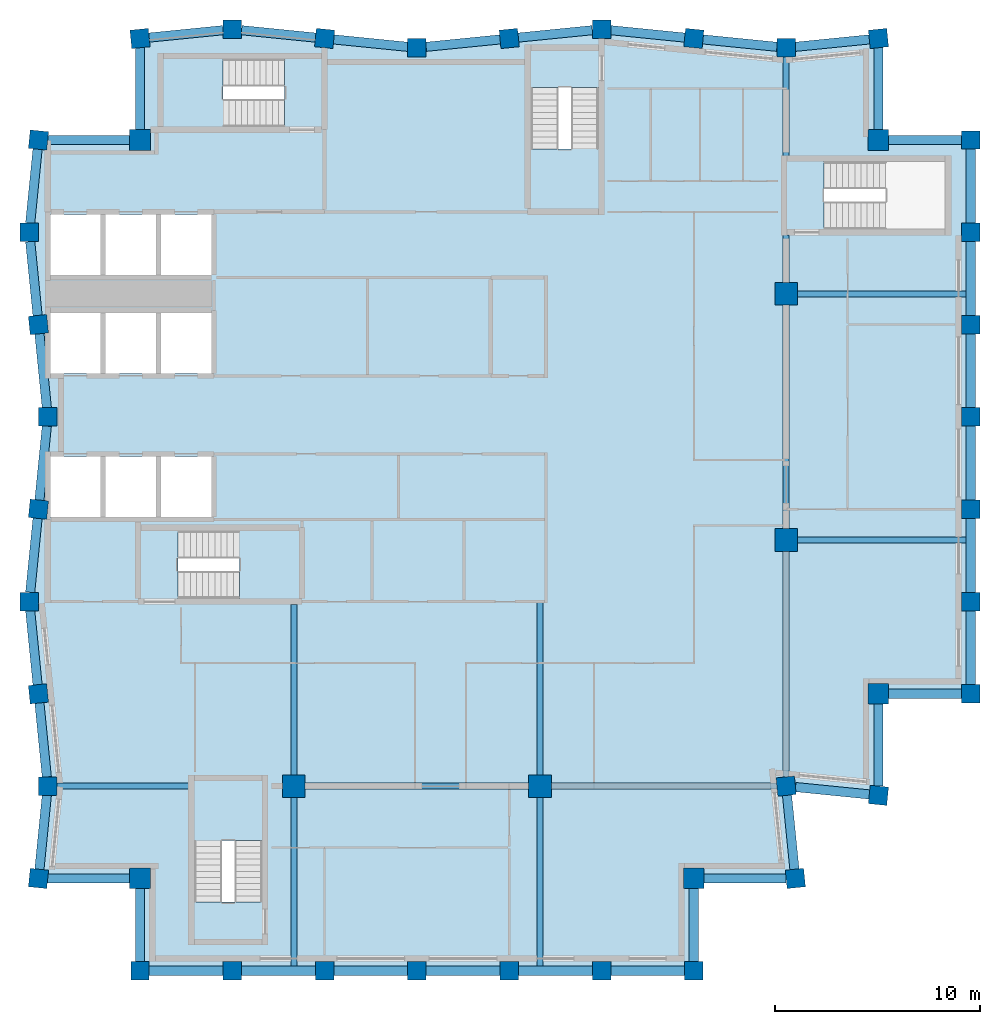
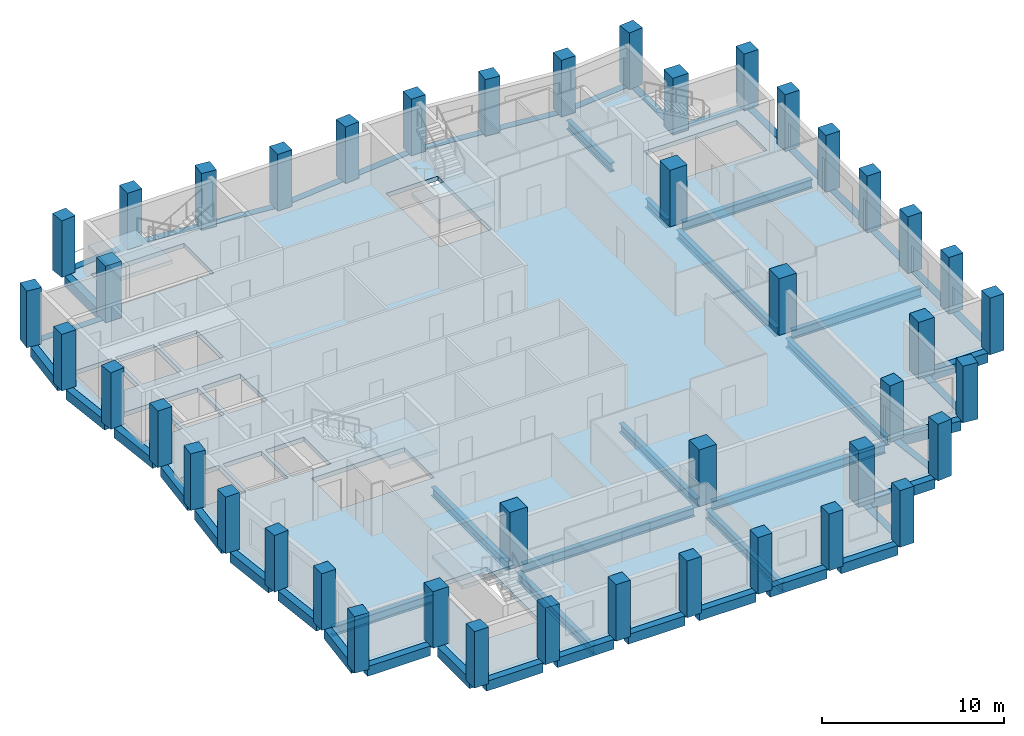
# One storey, part 1 of 7: 53 beams, 44 columns, 5 slabs, 4 elements without a shape of their own.
"""IFC4 building model written with IfcOpenShell, lengths in metres."""

from ifc_helpers import new_model, si_unit, direction, frame, origin, origin_2d, place, context, subcontext, project, spatial, polyline, rectangle, i_section, outline, extrude, material, layer, layer_set, material_profile, profile_set, type_object, element, aggregate, save


model = new_model("IFC4")

# Units and contexts
model_context = context("Model", 3, precision=1e-05, world=origin(), true_north=direction((0.0, 1.0)))
body_context = subcontext(model_context, "Body", "Model", "MODEL_VIEW")
ifc_project = project(units=[si_unit("LENGTHUNIT", "METRE"), si_unit("AREAUNIT", "SQUARE_METRE"), si_unit("VOLUMEUNIT", "CUBIC_METRE"), si_unit("PLANEANGLEUNIT", "RADIAN"), si_unit("MASSUNIT", "GRAM", prefix="KILO")], contexts=[model_context])

# Site, building, storey
site_placement = place(None, origin())
site = spatial("IfcSite", under=ifc_project, at=site_placement, CompositionType="ELEMENT")
building_placement = place(site_placement, origin())
building = spatial("IfcBuilding", under=site, at=building_placement, Name="Brondeck Convention Tower", CompositionType="ELEMENT")
storey_placement = place(building_placement, frame((0.0, 0.0, 260.0)))
storey = spatial("IfcBuildingStorey", under=building, at=storey_placement, Name="L64", CompositionType="ELEMENT", Elevation=260.0)

# Columns
ifc_material_1 = material(Name="Concrete C50/60", Category="concrete")
ifc_material_profile_1 = material_profile(ifc_material_1, rectangle(XDim=1.0, YDim=1.0, at=origin_2d()), Name="Corner column 1000x1000 Concrete C50/60")
ifc_profile_set_1 = profile_set([ifc_material_profile_1], Name="Concrete C50/60")
column_type_1 = type_object("IfcColumnType", Name="Corner column 1000x1000 Concrete C50/60", PredefinedType="COLUMN", material=ifc_profile_set_1)
for number, where, z_axis, x_axis, name in (
    (1, (4.5, 22.5, 0.0), (0.0, 0.0, 1.0), (1.0, 0.0, 0.0), "STR-COL-L64-NC-SWB18"),
    (2, (31.5, 22.5, 0.0), (0.0, 0.0, 1.0), (1.0, 0.0, 0.0), "STR-COL-L64-NC-SEB18"),
    (3, (40.5, 31.5, 0.0), (0.0, 0.0, 1.0), (1.0, 0.0, 0.0), "STR-COL-L64-NC-SEA45"),
    (4, (40.5, 58.5, 0.0), (0.0, 0.0, 1.0), (1.0, 0.0, 0.0), "STR-COL-L64-NC-NEA45"),
    (5, (4.5, 58.5, 0.0), (0.0, 0.0, 1.0), (1.0, 0.0, 0.0), "STR-COL-L64-NC-NW"),
):
    element("IfcColumn", number, at=place(storey_placement, frame(where, z_axis=z_axis, x_axis=x_axis)), inside=storey, type_object=column_type_1, Name=name, PredefinedType="COLUMN", context=body_context, shape_type="SweptSolid", body=[
        extrude(rectangle(XDim=1.0, YDim=1.0, at=origin_2d()), origin(), (0.0, 0.0, 1.0), 3.800048828125),
    ])
ifc_material_profile_2 = material_profile(ifc_material_1, rectangle(XDim=1.10009765625, YDim=1.10009765625, at=origin_2d()), Name="Interior column 1100x1100 Concrete C50/60")
ifc_profile_set_2 = profile_set([ifc_material_profile_2], Name="Concrete C50/60")
column_type_2 = type_object("IfcColumnType", Name="Interior column 1100x1100 Concrete C50/60", PredefinedType="COLUMN", material=ifc_profile_set_2)
for number, where, z_axis, x_axis, name in (
    (6, (12.0, 27.0, 0.0), (0.0, 0.0, 1.0), (1.0, 0.0, 0.0), "STR-COL-L64-IC-03"),
    (7, (24.0, 27.0, 0.0), (0.0, 0.0, 1.0), (1.0, 0.0, 0.0), "STR-COL-L64-IC-06"),
    (8, (36.0, 39.0, 0.0), (0.0, 0.0, 1.0), (1.0, 0.0, 0.0), "STR-COL-L64-IC-07"),
    (9, (36.0, 51.0, 0.0), (0.0, 0.0, 1.0), (1.0, 0.0, 0.0), "STR-COL-L64-IC-08"),
):
    element("IfcColumn", number, at=place(storey_placement, frame(where, z_axis=z_axis, x_axis=x_axis)), inside=storey, type_object=column_type_2, Name=name, PredefinedType="COLUMN", context=body_context, shape_type="SweptSolid", body=[
        extrude(rectangle(XDim=1.10009765625, YDim=1.10009765625, at=origin_2d()), origin(), (0.0, 0.0, 1.0), 3.800048828125),
    ])
ifc_material_profile_3 = material_profile(ifc_material_1, rectangle(XDim=0.89990234375, YDim=0.89990234375, at=origin_2d()), Name="Perimeter pier 900x900 Concrete C50/60")
ifc_profile_set_3 = profile_set([ifc_material_profile_3], Name="Concrete C50/60")
column_type_3 = type_object("IfcColumnType", Name="Perimeter pier 900x900 Concrete C50/60", PredefinedType="COLUMN", material=ifc_profile_set_3)
for number, where, z_axis, x_axis, name in (
    (10, (4.5, 18.0, 0.0), (0.0, 0.0, 1.0), (1.0, 0.0, 0.0), "STR-COL-L64-PC-B-S18-01"),
    (11, (9.0, 18.0, 0.0), (0.0, 0.0, 1.0), (1.0, 0.0, 0.0), "STR-COL-L64-PC-B-S18-02"),
    (12, (13.5, 18.0, 0.0), (0.0, 0.0, 1.0), (1.0, 0.0, 0.0), "STR-COL-L64-PC-B-S18-03"),
    (13, (18.0, 18.0, 0.0), (0.0, 0.0, 1.0), (1.0, 0.0, 0.0), "STR-COL-L64-PC-B-S18-04"),
    (14, (22.5, 18.0, 0.0), (0.0, 0.0, 1.0), (1.0, 0.0, 0.0), "STR-COL-L64-PC-B-S18-05"),
    (15, (27.0, 18.0, 0.0), (0.0, 0.0, 1.0), (1.0, 0.0, 0.0), "STR-COL-L64-PC-B-S18-06"),
    (16, (31.5, 18.0, 0.0), (0.0, 0.0, 1.0), (1.0, 0.0, 0.0), "STR-COL-L64-PC-B-S18-07"),
    (17, (36.449951171875, 22.5, 0.0), (0.0, 0.0, 1.0), (-0.0995038382, 0.995037178292, 0.0), "STR-COL-L64-PC-B-E-01"),
    (18, (36.0, 27.0, 0.0), (0.0, 0.0, 1.0), (-0.0995038382, 0.995037178292, 0.0), "STR-COL-L64-PC-B-E-00"),
    (19, (40.5, 26.550048828125, 0.0), (0.0, 0.0, 1.0), (0.995037178292, -0.0995038382, 0.0), "STR-COL-L64-PC-A-S-01"),
    (20, (45.0, 31.5, 0.0), (0.0, 0.0, 1.0), (0.0, 1.0, 0.0), "STR-COL-L64-PC-A-E45-01"),
    (21, (45.0, 36.0, 0.0), (0.0, 0.0, 1.0), (0.0, 1.0, 0.0), "STR-COL-L64-PC-A-E45-02"),
    (22, (45.0, 40.5, 0.0), (0.0, 0.0, 1.0), (0.0, 1.0, 0.0), "STR-COL-L64-PC-A-E45-03"),
    (23, (45.0, 45.0, 0.0), (0.0, 0.0, 1.0), (0.0, 1.0, 0.0), "STR-COL-L64-PC-A-E45-04"),
    (24, (45.0, 49.5, 0.0), (0.0, 0.0, 1.0), (0.0, 1.0, 0.0), "STR-COL-L64-PC-A-E45-05"),
    (25, (45.0, 54.0, 0.0), (0.0, 0.0, 1.0), (0.0, 1.0, 0.0), "STR-COL-L64-PC-A-E45-06"),
    (26, (45.0, 58.5, 0.0), (0.0, 0.0, 1.0), (0.0, 1.0, 0.0), "STR-COL-L64-PC-A-E45-07"),
    (27, (40.5, 63.449951171875, 0.0), (0.0, 0.0, 1.0), (-0.995037178292, -0.0995038382, 0.0), "STR-COL-L64-PC-A-N-09"),
    (28, (36.0, 63.0, 0.0), (0.0, 0.0, 1.0), (-1.0, 0.0, 0.0), "STR-COL-L64-PC-A-N-08"),
    (29, (31.5, 63.449951171875, 0.0), (0.0, 0.0, 1.0), (-0.995037178292, 0.0995038382, 0.0), "STR-COL-L64-PC-A-N-07"),
    (30, (27.0, 63.89990234375, 0.0), (0.0, 0.0, 1.0), (-1.0, 0.0, 0.0), "STR-COL-L64-PC-A-N-06"),
    (31, (22.5, 63.449951171875, 0.0), (0.0, 0.0, 1.0), (-0.995037178292, -0.0995038382, 0.0), "STR-COL-L64-PC-A-N-05"),
    (32, (18.0, 63.0, 0.0), (0.0, 0.0, 1.0), (-1.0, 0.0, 0.0), "STR-COL-L64-PC-A-N-04"),
    (33, (13.5, 63.449951171875, 0.0), (0.0, 0.0, 1.0), (-0.995037178292, 0.0995038382, 0.0), "STR-COL-L64-PC-A-N-03"),
    (34, (9.0, 63.89990234375, 0.0), (0.0, 0.0, 1.0), (-1.0, 0.0, 0.0), "STR-COL-L64-PC-A-N-02"),
    (35, (4.5, 63.449951171875, 0.0), (0.0, 0.0, 1.0), (-0.995037178292, -0.0995038382, 0.0), "STR-COL-L64-PC-A-N-01"),
    (36, (-0.449951171875, 58.5, 0.0), (0.0, 0.0, 1.0), (-0.0995038382, -0.995037178292, 0.0), "STR-COL-L64-PC-B-W-01"),
    (37, (-0.89990234375, 54.0, 0.0), (0.0, 0.0, 1.0), (0.0, -1.0, 0.0), "STR-COL-L64-PC-B-W-02"),
    (38, (-0.449951171875, 49.5, 0.0), (0.0, 0.0, 1.0), (0.0995038382, -0.995037178292, 0.0), "STR-COL-L64-PC-B-W-03"),
    (39, (0.0, 45.0, 0.0), (0.0, 0.0, 1.0), (0.0, -1.0, 0.0), "STR-COL-L64-PC-B-W-04"),
    (40, (-0.449951171875, 40.5, 0.0), (0.0, 0.0, 1.0), (-0.0995038382, -0.995037178292, 0.0), "STR-COL-L64-PC-B-W-05"),
    (41, (-0.89990234375, 36.0, 0.0), (0.0, 0.0, 1.0), (0.0, -1.0, 0.0), "STR-COL-L64-PC-B-W-06"),
    (42, (-0.449951171875, 31.5, 0.0), (0.0, 0.0, 1.0), (0.0995038382, -0.995037178292, 0.0), "STR-COL-L64-PC-B-W-07"),
    (43, (0.0, 27.0, 0.0), (0.0, 0.0, 1.0), (0.0, -1.0, 0.0), "STR-COL-L64-PC-B-W-08"),
    (44, (-0.449951171875, 22.5, 0.0), (0.0, 0.0, 1.0), (-0.0995038382, -0.995037178292, 0.0), "STR-COL-L64-PC-B-W-09"),
):
    element("IfcColumn", number, at=place(storey_placement, frame(where, z_axis=z_axis, x_axis=x_axis)), inside=storey, type_object=column_type_3, Name=name, PredefinedType="COLUMN", context=body_context, shape_type="SweptSolid", body=[
        extrude(rectangle(XDim=0.89990234375, YDim=0.89990234375, at=origin_2d()), origin(), (0.0, 0.0, 1.0), 3.800048828125),
    ])

# Beams
ifc_material_2 = material(Name="Steel S355", Category="steel")
ifc_material_profile_4 = material_profile(ifc_material_2, i_section(OverallWidth=0.300048828125, OverallDepth=0.60009765625, WebThickness=0.015380859375, FlangeThickness=0.030029296875, FilletRadius=0.027099609375, at=origin_2d()), Name="HEB 600")
ifc_profile_set_4 = profile_set([ifc_material_profile_4], Name="Steel S355")
beam_type_1 = type_object("IfcBeamType", Name="Girder HEB 600", PredefinedType="BEAM", material=ifc_profile_set_4)
for number, where, z_axis, x_axis, name in (
    (45, (36.550048828125, 39.0, -0.60009765625), (1.0, 0.0, 0.0), (0.0, 1.0, 0.0), "STR-GR-L64-001"),
    (46, (36.550048828125, 51.0, -0.60009765625), (1.0, 0.0, 0.0), (0.0, 1.0, 0.0), "STR-GR-L64-002"),
):
    element("IfcBeam", number, at=place(storey_placement, frame(where, z_axis=z_axis, x_axis=x_axis)), inside=storey, type_object=beam_type_1, Name=name, PredefinedType="BEAM", context=body_context, shape_type="SweptSolid", body=[
        extrude(i_section(OverallWidth=0.300048828125, OverallDepth=0.60009765625, WebThickness=0.015380859375, FlangeThickness=0.030029296875, FilletRadius=0.027099609375, at=origin_2d()), origin(), (0.0, 0.0, 1.0), 8.224853515625),
    ])
beam_1_placement = place(storey_placement, frame((36.0, 27.4521484375, -0.60009765625), z_axis=(0.0, 1.0, 0.0), x_axis=(-1.0, 0.0, 0.0)))
element("IfcBeam", 47, at=beam_1_placement, inside=storey, type_object=beam_type_1, Name="STR-GR-L64-003", PredefinedType="BEAM", context=body_context, shape_type="SweptSolid", body=[
    extrude(i_section(OverallWidth=0.300048828125, OverallDepth=0.60009765625, WebThickness=0.015380859375, FlangeThickness=0.030029296875, FilletRadius=0.027099609375, at=origin_2d()), origin(), (0.0, 0.0, 1.0), 10.997802734375),
])
beam_2_placement = place(storey_placement, frame((36.0, 39.550048828125, -0.60009765625), z_axis=(0.0, 1.0, 0.0), x_axis=(-1.0, 0.0, 0.0)))
element("IfcBeam", 48, at=beam_2_placement, inside=storey, type_object=beam_type_1, Name="STR-GR-L64-004", PredefinedType="BEAM", context=body_context, shape_type="SweptSolid", body=[
    extrude(i_section(OverallWidth=0.300048828125, OverallDepth=0.60009765625, WebThickness=0.015380859375, FlangeThickness=0.030029296875, FilletRadius=0.027099609375, at=origin_2d()), origin(), (0.0, 0.0, 1.0), 10.89990234375),
])
beam_3_placement = place(storey_placement, frame((36.0, 51.550048828125, -0.60009765625), z_axis=(0.0, 1.0, 0.0), x_axis=(-1.0, 0.0, 0.0)))
element("IfcBeam", 49, at=beam_3_placement, inside=storey, type_object=beam_type_1, Name="STR-GR-L64-005", PredefinedType="BEAM", context=body_context, shape_type="SweptSolid", body=[
    extrude(i_section(OverallWidth=0.300048828125, OverallDepth=0.60009765625, WebThickness=0.015380859375, FlangeThickness=0.030029296875, FilletRadius=0.027099609375, at=origin_2d()), origin(), (0.0, 0.0, 1.0), 2.329833984375),
])
beam_4_placement = place(storey_placement, frame((36.0, 57.719970703125, -0.60009765625), z_axis=(0.0, 1.0, 0.0), x_axis=(-1.0, 0.0, 0.0)))
element("IfcBeam", 50, at=beam_4_placement, inside=storey, type_object=beam_type_1, Name="STR-GR-L64-006", PredefinedType="BEAM", context=body_context, shape_type="SweptSolid", body=[
    extrude(i_section(OverallWidth=0.300048828125, OverallDepth=0.60009765625, WebThickness=0.015380859375, FlangeThickness=0.030029296875, FilletRadius=0.027099609375, at=origin_2d()), origin(), (0.0, 0.0, 1.0), 4.830078125),
])
beam_5_placement = place(storey_placement, frame((12.0, 35.85009765625, -0.60009765625), z_axis=(0.0, -1.0, 0.0), x_axis=(1.0, 0.0, 0.0)))
element("IfcBeam", 51, at=beam_5_placement, inside=storey, type_object=beam_type_1, Name="STR-GR-L64-007", PredefinedType="BEAM", context=body_context, shape_type="SweptSolid", body=[
    extrude(i_section(OverallWidth=0.300048828125, OverallDepth=0.60009765625, WebThickness=0.015380859375, FlangeThickness=0.030029296875, FilletRadius=0.027099609375, at=origin_2d()), origin(), (0.0, 0.0, 1.0), 8.300048828125),
])
beam_6_placement = place(storey_placement, frame((12.0, 26.449951171875, -0.60009765625), z_axis=(0.0, -1.0, 0.0), x_axis=(1.0, 0.0, 0.0)))
element("IfcBeam", 52, at=beam_6_placement, inside=storey, type_object=beam_type_1, Name="STR-GR-L64-008", PredefinedType="BEAM", context=body_context, shape_type="SweptSolid", body=[
    extrude(i_section(OverallWidth=0.300048828125, OverallDepth=0.60009765625, WebThickness=0.015380859375, FlangeThickness=0.030029296875, FilletRadius=0.027099609375, at=origin_2d()), origin(), (0.0, 0.0, 1.0), 8.224853515625),
])
beam_7_placement = place(storey_placement, frame((24.0, 35.955078125, -0.60009765625), z_axis=(0.0, -1.0, 0.0), x_axis=(1.0, 0.0, 0.0)))
element("IfcBeam", 53, at=beam_7_placement, inside=storey, type_object=beam_type_1, Name="STR-GR-L64-009", PredefinedType="BEAM", context=body_context, shape_type="SweptSolid", body=[
    extrude(i_section(OverallWidth=0.300048828125, OverallDepth=0.60009765625, WebThickness=0.015380859375, FlangeThickness=0.030029296875, FilletRadius=0.027099609375, at=origin_2d()), origin(), (0.0, 0.0, 1.0), 8.405029296875),
])
beam_8_placement = place(storey_placement, frame((24.0, 26.449951171875, -0.60009765625), z_axis=(0.0, -1.0, 0.0), x_axis=(1.0, 0.0, 0.0)))
element("IfcBeam", 54, at=beam_8_placement, inside=storey, type_object=beam_type_1, Name="STR-GR-L64-010", PredefinedType="BEAM", context=body_context, shape_type="SweptSolid", body=[
    extrude(i_section(OverallWidth=0.300048828125, OverallDepth=0.60009765625, WebThickness=0.015380859375, FlangeThickness=0.030029296875, FilletRadius=0.027099609375, at=origin_2d()), origin(), (0.0, 0.0, 1.0), 8.224853515625),
])
beam_9_placement = place(storey_placement, frame((0.449951171875, 27.0, -0.60009765625), z_axis=(1.0, 0.0, 0.0), x_axis=(0.0, 1.0, 0.0)))
element("IfcBeam", 55, at=beam_9_placement, inside=storey, type_object=beam_type_1, Name="STR-GR-L64-011", PredefinedType="BEAM", context=body_context, shape_type="SweptSolid", body=[
    extrude(i_section(OverallWidth=0.300048828125, OverallDepth=0.60009765625, WebThickness=0.015380859375, FlangeThickness=0.030029296875, FilletRadius=0.027099609375, at=origin_2d()), origin(), (0.0, 0.0, 1.0), 6.429931640625),
])
beam_10_placement = place(storey_placement, frame((12.550048828125, 27.0, -0.60009765625), z_axis=(1.0, 0.0, 0.0), x_axis=(0.0, 1.0, 0.0)))
element("IfcBeam", 56, at=beam_10_placement, inside=storey, type_object=beam_type_1, Name="STR-GR-L64-012", PredefinedType="BEAM", context=body_context, shape_type="SweptSolid", body=[
    extrude(i_section(OverallWidth=0.300048828125, OverallDepth=0.60009765625, WebThickness=0.015380859375, FlangeThickness=0.030029296875, FilletRadius=0.027099609375, at=origin_2d()), origin(), (0.0, 0.0, 1.0), 10.89990234375),
])
beam_11_placement = place(storey_placement, frame((24.550048828125, 27.0, -0.60009765625), z_axis=(1.0, 0.0, 0.0), x_axis=(0.0, 1.0, 0.0)))
element("IfcBeam", 57, at=beam_11_placement, inside=storey, type_object=beam_type_1, Name="STR-GR-L64-013", PredefinedType="BEAM", context=body_context, shape_type="SweptSolid", body=[
    extrude(i_section(OverallWidth=0.300048828125, OverallDepth=0.60009765625, WebThickness=0.015380859375, FlangeThickness=0.030029296875, FilletRadius=0.027099609375, at=origin_2d()), origin(), (0.0, 0.0, 1.0), 10.997802734375),
])
ifc_material_profile_5 = material_profile(ifc_material_1, rectangle(XDim=0.449951171875, YDim=0.64990234375, at=origin_2d()), Name="Precast spandrel 450x650 Concrete C50/60")
ifc_profile_set_5 = profile_set([ifc_material_profile_5], Name="Concrete C50/60")
beam_type_2 = type_object("IfcBeamType", Name="Precast spandrel 450x650 Concrete C50/60", PredefinedType="SPANDREL", material=ifc_profile_set_5)
for number, where, z_axis, x_axis, name in (
    (58, (4.949951171875, 18.0, -0.324951171875), (1.0, 0.0, 0.0), (0.0, 1.0, 0.0), "STR-SP-L64-001"),
    (59, (9.449951171875, 18.0, -0.324951171875), (1.0, 0.0, 0.0), (0.0, 1.0, 0.0), "STR-SP-L64-002"),
    (60, (13.949951171875, 18.0, -0.324951171875), (1.0, 0.0, 0.0), (0.0, 1.0, 0.0), "STR-SP-L64-003"),
    (61, (18.449951171875, 18.0, -0.324951171875), (1.0, 0.0, 0.0), (0.0, 1.0, 0.0), "STR-SP-L64-004"),
    (62, (22.949951171875, 18.0, -0.324951171875), (1.0, 0.0, 0.0), (0.0, 1.0, 0.0), "STR-SP-L64-005"),
    (63, (27.449951171875, 18.0, -0.324951171875), (1.0, 0.0, 0.0), (0.0, 1.0, 0.0), "STR-SP-L64-006"),
):
    element("IfcBeam", number, at=place(storey_placement, frame(where, z_axis=z_axis, x_axis=x_axis)), inside=storey, type_object=beam_type_2, Name=name, PredefinedType="SPANDREL", context=body_context, shape_type="SweptSolid", body=[
        extrude(rectangle(XDim=0.449951171875, YDim=0.64990234375, at=origin_2d()), origin(), (0.0, 0.0, 1.0), 3.60009765625),
    ])
beam_12_placement = place(storey_placement, frame((31.5, 18.449951171875, -0.324951171875), z_axis=(0.0, 1.0, 0.0), x_axis=(-1.0, 0.0, 0.0)))
element("IfcBeam", 64, at=beam_12_placement, inside=storey, type_object=beam_type_2, Name="STR-SP-L64-007", PredefinedType="SPANDREL", context=body_context, shape_type="SweptSolid", body=[
    extrude(rectangle(XDim=0.449951171875, YDim=0.64990234375, at=origin_2d()), origin(), (0.0, 0.0, 1.0), 3.550048828125),
])
beam_13_placement = place(storey_placement, frame((32.0, 22.5, -0.324951171875), z_axis=(1.0, 0.0, 0.0), x_axis=(0.0, 1.0, 0.0)))
element("IfcBeam", 65, at=beam_13_placement, inside=storey, type_object=beam_type_2, Name="STR-SP-L64-008", PredefinedType="SPANDREL", context=body_context, shape_type="SweptSolid", body=[
    extrude(rectangle(XDim=0.449951171875, YDim=0.64990234375, at=origin_2d()), origin(), (0.0, 0.0, 1.0), 3.997802734375),
])
beam_14_placement = place(storey_placement, frame((36.4052734375, 22.94775390625, -0.324951171875), z_axis=(-0.099543756114, 0.995033185687, 0.0), x_axis=(-0.995033185687, -0.099543756114, 0.0)))
element("IfcBeam", 66, at=beam_14_placement, inside=storey, type_object=beam_type_2, Name="STR-SP-L64-009", PredefinedType="SPANDREL", context=body_context, shape_type="SweptSolid", body=[
    extrude(rectangle(XDim=0.449951171875, YDim=0.64990234375, at=origin_2d()), origin(), (0.0, 0.0, 1.0), 3.62255859375),
])
beam_15_placement = place(storey_placement, frame((36.456787109375, 26.954345703125, -0.324951171875), z_axis=(0.995035183115, -0.099523787922, 0.0), x_axis=(0.099523787922, 0.995035183115, 0.0)))
element("IfcBeam", 67, at=beam_15_placement, inside=storey, type_object=beam_type_2, Name="STR-SP-L64-010", PredefinedType="SPANDREL", context=body_context, shape_type="SweptSolid", body=[
    extrude(rectangle(XDim=0.449951171875, YDim=0.64990234375, at=origin_2d()), origin(), (0.0, 0.0, 1.0), 3.61328125),
])
beam_16_placement = place(storey_placement, frame((40.5, 27.002197265625, -0.324951171875), z_axis=(0.0, 1.0, 0.0), x_axis=(-1.0, 0.0, 0.0)))
element("IfcBeam", 68, at=beam_16_placement, inside=storey, type_object=beam_type_2, Name="STR-SP-L64-011", PredefinedType="SPANDREL", context=body_context, shape_type="SweptSolid", body=[
    extrude(rectangle(XDim=0.449951171875, YDim=0.64990234375, at=origin_2d()), origin(), (0.0, 0.0, 1.0), 3.997802734375),
])
beam_17_placement = place(storey_placement, frame((41.0, 31.5, -0.324951171875), z_axis=(1.0, 0.0, 0.0), x_axis=(0.0, 1.0, 0.0)))
element("IfcBeam", 69, at=beam_17_placement, inside=storey, type_object=beam_type_2, Name="STR-SP-L64-012", PredefinedType="SPANDREL", context=body_context, shape_type="SweptSolid", body=[
    extrude(rectangle(XDim=0.449951171875, YDim=0.64990234375, at=origin_2d()), origin(), (0.0, 0.0, 1.0), 3.550048828125),
])
for number, where, z_axis, x_axis, name in (
    (70, (45.0, 31.949951171875, -0.324951171875), (0.0, 1.0, 0.0), (-1.0, 0.0, 0.0), "STR-SP-L64-013"),
    (71, (45.0, 36.449951171875, -0.324951171875), (0.0, 1.0, 0.0), (-1.0, 0.0, 0.0), "STR-SP-L64-014"),
    (72, (45.0, 40.949951171875, -0.324951171875), (0.0, 1.0, 0.0), (-1.0, 0.0, 0.0), "STR-SP-L64-015"),
    (73, (45.0, 45.449951171875, -0.324951171875), (0.0, 1.0, 0.0), (-1.0, 0.0, 0.0), "STR-SP-L64-016"),
    (74, (45.0, 49.949951171875, -0.324951171875), (0.0, 1.0, 0.0), (-1.0, 0.0, 0.0), "STR-SP-L64-017"),
    (75, (45.0, 54.449951171875, -0.324951171875), (0.0, 1.0, 0.0), (-1.0, 0.0, 0.0), "STR-SP-L64-018"),
):
    element("IfcBeam", number, at=place(storey_placement, frame(where, z_axis=z_axis, x_axis=x_axis)), inside=storey, type_object=beam_type_2, Name=name, PredefinedType="SPANDREL", context=body_context, shape_type="SweptSolid", body=[
        extrude(rectangle(XDim=0.449951171875, YDim=0.64990234375, at=origin_2d()), origin(), (0.0, 0.0, 1.0), 3.60009765625),
    ])
beam_18_placement = place(storey_placement, frame((44.550048828125, 58.5, -0.324951171875), z_axis=(-1.0, 0.0, 0.0), x_axis=(0.0, -1.0, 0.0)))
element("IfcBeam", 76, at=beam_18_placement, inside=storey, type_object=beam_type_2, Name="STR-SP-L64-019", PredefinedType="SPANDREL", context=body_context, shape_type="SweptSolid", body=[
    extrude(rectangle(XDim=0.449951171875, YDim=0.64990234375, at=origin_2d()), origin(), (0.0, 0.0, 1.0), 3.550048828125),
])
beam_19_placement = place(storey_placement, frame((40.5, 59.0, -0.324951171875), z_axis=(0.0, 1.0, 0.0), x_axis=(-1.0, 0.0, 0.0)))
element("IfcBeam", 77, at=beam_19_placement, inside=storey, type_object=beam_type_2, Name="STR-SP-L64-020", PredefinedType="SPANDREL", context=body_context, shape_type="SweptSolid", body=[
    extrude(rectangle(XDim=0.449951171875, YDim=0.64990234375, at=origin_2d()), origin(), (0.0, 0.0, 1.0), 3.997802734375),
])
for number, where, z_axis, x_axis, name in (
    (78, (40.05224609375, 63.4052734375, -0.324951171875), (-0.995033851182, -0.099537103649, 0.0), (0.099537103649, -0.995033851182, 0.0), "STR-SP-L64-021"),
    (79, (35.550048828125, 63.044921875, -0.324951171875), (-0.995033851182, 0.099537103649, 0.0), (-0.099537103649, -0.995033851182, 0.0), "STR-SP-L64-022"),
    (80, (31.05224609375, 63.494873046875, -0.324951171875), (-0.995040528141, 0.099470334057, 0.0), (-0.099470334057, -0.995040528141, 0.0), "STR-SP-L64-023"),
    (81, (26.550048828125, 63.85498046875, -0.324951171875), (-0.995040528141, -0.099470334057, 0.0), (0.099470334057, -0.995040528141, 0.0), "STR-SP-L64-024"),
    (82, (22.05224609375, 63.4052734375, -0.324951171875), (-0.995033851182, -0.099537103649, 0.0), (0.099537103649, -0.995033851182, 0.0), "STR-SP-L64-025"),
    (83, (17.550048828125, 63.044921875, -0.324951171875), (-0.995033851182, 0.099537103649, 0.0), (-0.099537103649, -0.995033851182, 0.0), "STR-SP-L64-026"),
    (84, (13.05224609375, 63.494873046875, -0.324951171875), (-0.995040528141, 0.099470334057, 0.0), (-0.099470334057, -0.995040528141, 0.0), "STR-SP-L64-027"),
    (85, (8.550048828125, 63.85498046875, -0.324951171875), (-0.995040528141, -0.099470334057, 0.0), (0.099470334057, -0.995040528141, 0.0), "STR-SP-L64-028"),
):
    element("IfcBeam", number, at=place(storey_placement, frame(where, z_axis=z_axis, x_axis=x_axis)), inside=storey, type_object=beam_type_2, Name=name, PredefinedType="SPANDREL", context=body_context, shape_type="SweptSolid", body=[
        extrude(rectangle(XDim=0.449951171875, YDim=0.64990234375, at=origin_2d()), origin(), (0.0, 0.0, 1.0), 3.620361328125),
    ])
for number, where, z_axis, x_axis, name in (
    (86, (4.5, 62.997802734375, -0.324951171875), (0.0, -1.0, 0.0), (1.0, 0.0, 0.0), "STR-SP-L64-029"),
    (87, (4.0, 58.5, -0.324951171875), (-1.0, 0.0, 0.0), (0.0, -1.0, 0.0), "STR-SP-L64-030"),
):
    element("IfcBeam", number, at=place(storey_placement, frame(where, z_axis=z_axis, x_axis=x_axis)), inside=storey, type_object=beam_type_2, Name=name, PredefinedType="SPANDREL", context=body_context, shape_type="SweptSolid", body=[
        extrude(rectangle(XDim=0.449951171875, YDim=0.64990234375, at=origin_2d()), origin(), (0.0, 0.0, 1.0), 3.997802734375),
    ])
for number, where, z_axis, x_axis, name in (
    (88, (-0.494873046875, 58.05224609375, -0.324951171875), (-0.099470334057, -0.995040528141, 0.0), (0.995040528141, -0.099470334057, 0.0), "STR-SP-L64-031"),
    (89, (-0.85498046875, 53.550048828125, -0.324951171875), (0.099470334057, -0.995040528141, 0.0), (0.995040528141, 0.099470334057, 0.0), "STR-SP-L64-032"),
    (90, (-0.4052734375, 49.05224609375, -0.324951171875), (0.099537103649, -0.995033851182, 0.0), (0.995033851182, 0.099537103649, 0.0), "STR-SP-L64-033"),
    (91, (-0.044921875, 44.550048828125, -0.324951171875), (-0.099537103649, -0.995033851182, 0.0), (0.995033851182, -0.099537103649, 0.0), "STR-SP-L64-034"),
    (92, (-0.494873046875, 40.05224609375, -0.324951171875), (-0.099470334057, -0.995040528141, 0.0), (0.995040528141, -0.099470334057, 0.0), "STR-SP-L64-035"),
    (93, (-0.85498046875, 35.550048828125, -0.324951171875), (0.099470334057, -0.995040528141, 0.0), (0.995040528141, 0.099470334057, 0.0), "STR-SP-L64-036"),
    (94, (-0.4052734375, 31.05224609375, -0.324951171875), (0.099537103649, -0.995033851182, 0.0), (0.995033851182, 0.099537103649, 0.0), "STR-SP-L64-037"),
    (95, (-0.044921875, 26.550048828125, -0.324951171875), (-0.099537103649, -0.995033851182, 0.0), (0.995033851182, -0.099537103649, 0.0), "STR-SP-L64-038"),
):
    element("IfcBeam", number, at=place(storey_placement, frame(where, z_axis=z_axis, x_axis=x_axis)), inside=storey, type_object=beam_type_2, Name=name, PredefinedType="SPANDREL", context=body_context, shape_type="SweptSolid", body=[
        extrude(rectangle(XDim=0.449951171875, YDim=0.64990234375, at=origin_2d()), origin(), (0.0, 0.0, 1.0), 3.620361328125),
    ])
beam_20_placement = place(storey_placement, frame((0.002197265625, 22.5, -0.324951171875), z_axis=(1.0, 0.0, 0.0), x_axis=(0.0, 1.0, 0.0)))
element("IfcBeam", 96, at=beam_20_placement, inside=storey, type_object=beam_type_2, Name="STR-SP-L64-039", PredefinedType="SPANDREL", context=body_context, shape_type="SweptSolid", body=[
    extrude(rectangle(XDim=0.449951171875, YDim=0.64990234375, at=origin_2d()), origin(), (0.0, 0.0, 1.0), 3.997802734375),
])
beam_21_placement = place(storey_placement, frame((4.5, 22.0, -0.324951171875), z_axis=(0.0, -1.0, 0.0), x_axis=(1.0, 0.0, 0.0)))
element("IfcBeam", 97, at=beam_21_placement, inside=storey, type_object=beam_type_2, Name="STR-SP-L64-040", PredefinedType="SPANDREL", context=body_context, shape_type="SweptSolid", body=[
    extrude(rectangle(XDim=0.449951171875, YDim=0.64990234375, at=origin_2d()), origin(), (0.0, 0.0, 1.0), 3.550048828125),
])

# Slab
ifc_material_3 = material(Name="Concrete C35/45", Category="concrete")
ifc_layer_1 = layer(ifc_material_3, 0.300048828125)
ifc_layer_set_1 = layer_set([ifc_layer_1], Name="Composite floor slab 300")
slab_type_1 = type_object("IfcSlabType", Name="Composite floor slab 300", PredefinedType="FLOOR", material=ifc_layer_set_1)
slab_1_placement = place(storey_placement, frame((0.0, 0.0, -0.300048828125)))
element("IfcSlab", 98, at=slab_1_placement, inside=storey, type_object=slab_type_1, Name="STR-SL-L64", PredefinedType="FLOOR", context=body_context, shape_type="SweptSolid", body=[
    extrude(outline(polyline([(4.5, 22.5), (-0.449951171875, 22.5), (0.0, 27.0), (-0.89990234375, 36.0), (0.0, 45.0), (-0.89990234375, 54.0), (-0.449951171875, 58.5), (4.5, 58.5), (4.5, 63.449951171875), (9.0, 63.89990234375), (18.0, 63.0), (27.0, 63.89990234375), (36.0, 63.0), (40.5, 63.449951171875), (40.5, 58.5), (45.0, 58.5), (45.0, 31.5), (40.5, 31.5), (40.5, 26.550048828125), (36.0, 27.0), (36.449951171875, 22.5), (31.5, 22.5), (31.5, 18.0), (4.5, 18.0), (4.5, 22.5)]), holes=[polyline([(2.574951171875, 43.074951171875), (0.125, 43.074951171875), (0.125, 40.125), (2.574951171875, 40.125), (2.574951171875, 43.074951171875)]), polyline([(5.27490234375, 40.125), (5.27490234375, 43.074951171875), (2.824951171875, 43.074951171875), (2.824951171875, 40.125), (5.27490234375, 40.125)]), polyline([(7.97509765625, 40.125), (7.97509765625, 43.074951171875), (5.52490234375, 43.074951171875), (5.52490234375, 40.125), (7.97509765625, 40.125)]), polyline([(2.574951171875, 47.125), (2.574951171875, 50.074951171875), (0.125, 50.074951171875), (0.125, 47.125), (2.574951171875, 47.125)]), polyline([(5.27490234375, 47.125), (5.27490234375, 50.074951171875), (2.824951171875, 50.074951171875), (2.824951171875, 47.125), (5.27490234375, 47.125)]), polyline([(2.574951171875, 51.925048828125), (2.574951171875, 54.875), (0.125, 54.875), (0.125, 51.925048828125), (2.574951171875, 51.925048828125)]), polyline([(5.27490234375, 51.925048828125), (5.27490234375, 54.875), (2.824951171875, 54.875), (2.824951171875, 51.925048828125), (5.27490234375, 51.925048828125)]), polyline([(7.152099609375, 27.248046875), (7.152099609375, 21.35205078125), (10.447998046875, 21.35205078125), (10.447998046875, 27.248046875), (7.152099609375, 27.248046875)]), polyline([(12.248046875, 36.152099609375), (12.248046875, 39.447998046875), (6.35205078125, 39.447998046875), (6.35205078125, 36.152099609375), (12.248046875, 36.152099609375)]), polyline([(7.97509765625, 47.125), (7.97509765625, 50.074951171875), (5.52490234375, 50.074951171875), (5.52490234375, 47.125), (7.97509765625, 47.125)]), polyline([(7.97509765625, 51.925048828125), (7.97509765625, 54.875), (5.52490234375, 54.875), (5.52490234375, 51.925048828125), (7.97509765625, 51.925048828125)]), polyline([(43.748046875, 54.152099609375), (43.748046875, 57.447998046875), (37.85205078125, 57.447998046875), (37.85205078125, 54.152099609375), (43.748046875, 54.152099609375)]), polyline([(23.552001953125, 55.152099609375), (26.847900390625, 55.152099609375), (26.847900390625, 61.048095703125), (23.552001953125, 61.048095703125), (23.552001953125, 55.152099609375)]), polyline([(5.652099609375, 62.447998046875), (5.652099609375, 59.152099609375), (11.548095703125, 59.152099609375), (11.548095703125, 62.447998046875), (5.652099609375, 62.447998046875)])]), origin(), (0.0, 0.0, 1.0), 0.300048828125),
])

# Stair, slab
ifc_material_4 = material(Name="Precast concrete C50/60", Category="concrete")
stair_type = type_object("IfcStairType", Name="Core stair 22 risers 172.73 mm riser 300 mm going 1350 wide", PredefinedType="HALF_TURN_STAIR", material=ifc_material_4)
stair_1_placement = place(storey_placement, origin())
stair_1 = element("IfcStair", 99, at=stair_1_placement, inside=storey, type_object=stair_type, Name="ST-1 L64 stair", PredefinedType="HALF_TURN_STAIR")
ifc_layer_2 = layer(ifc_material_4, 0.25)
ifc_layer_set_2 = layer_set([ifc_layer_2], Name="Core stair landing 250 Precast concrete C50/60")
slab_type_2 = type_object("IfcSlabType", Name="Core stair landing 250 Precast concrete C50/60", PredefinedType="LANDING", material=ifc_layer_set_2)
slab_2_placement = place(storey_placement, frame((0.0, 0.0, 1.64990234375)))
slab_2 = element("IfcSlab", 100, at=slab_2_placement, type_object=slab_type_2, Name="ST-1 landing 1", PredefinedType="LANDING", context=body_context, shape_type="SweptSolid", body=[
    extrude(outline(polyline([(9.347900390625, 37.5), (9.35009765625, 37.5), (9.35009765625, 38.10009765625), (9.050048828125, 38.10009765625), (9.050048828125, 39.570068359375), (12.3701171875, 39.570068359375), (12.3701171875, 36.030029296875), (9.347900390625, 36.030029296875), (9.347900390625, 37.5)])), origin(), (0.0, 0.0, 1.0), 0.25),
])
aggregate(stair_1, [slab_2])

stair_2_placement = place(storey_placement, origin())
stair_2 = element("IfcStair", 101, at=stair_2_placement, inside=storey, type_object=stair_type, Name="ST-2 L64 stair", PredefinedType="HALF_TURN_STAIR")
slab_3_placement = place(storey_placement, frame((0.0, 0.0, 1.64990234375)))
slab_3 = element("IfcSlab", 102, at=slab_3_placement, type_object=slab_type_2, Name="ST-2 landing 1", PredefinedType="LANDING", context=body_context, shape_type="SweptSolid", body=[
    extrude(outline(polyline([(23.429931640625, 58.052001953125), (24.89990234375, 58.052001953125), (24.89990234375, 58.050048828125), (25.5, 58.050048828125), (25.5, 58.35009765625), (26.969970703125, 58.35009765625), (26.969970703125, 55.030029296875), (23.429931640625, 55.030029296875), (23.429931640625, 58.052001953125)])), origin(), (0.0, 0.0, 1.0), 0.25),
])
aggregate(stair_2, [slab_3])

stair_3_placement = place(storey_placement, origin())
stair_3 = element("IfcStair", 103, at=stair_3_placement, inside=storey, type_object=stair_type, Name="ST-3 L64 stair", PredefinedType="HALF_TURN_STAIR")
slab_4_placement = place(storey_placement, frame((0.0, 0.0, 1.64990234375)))
slab_4 = element("IfcSlab", 104, at=slab_4_placement, type_object=slab_type_2, Name="ST-3 landing 1", PredefinedType="LANDING", context=body_context, shape_type="SweptSolid", body=[
    extrude(outline(polyline([(8.85009765625, 60.5), (8.85009765625, 59.030029296875), (5.530029296875, 59.030029296875), (5.530029296875, 62.570068359375), (8.552001953125, 62.570068359375), (8.552001953125, 61.10009765625), (8.550048828125, 61.10009765625), (8.550048828125, 60.5), (8.85009765625, 60.5)])), origin(), (0.0, 0.0, 1.0), 0.25),
])
aggregate(stair_3, [slab_4])

stair_4_placement = place(storey_placement, origin())
stair_4 = element("IfcStair", 105, at=stair_4_placement, inside=storey, type_object=stair_type, Name="ST-BE L64 stair", PredefinedType="HALF_TURN_STAIR")
slab_5_placement = place(storey_placement, frame((0.0, 0.0, 1.64990234375)))
slab_5 = element("IfcSlab", 106, at=slab_5_placement, type_object=slab_type_2, Name="ST-BE landing 1", PredefinedType="LANDING", context=body_context, shape_type="SweptSolid", body=[
    extrude(outline(polyline([(7.030029296875, 24.050048828125), (7.030029296875, 27.3701171875), (10.570068359375, 27.3701171875), (10.570068359375, 24.347900390625), (9.10009765625, 24.347900390625), (9.10009765625, 24.35009765625), (8.5, 24.35009765625), (8.5, 24.050048828125), (7.030029296875, 24.050048828125)])), origin(), (0.0, 0.0, 1.0), 0.25),
])
aggregate(stair_4, [slab_5])

save(model, "model.ifc")
